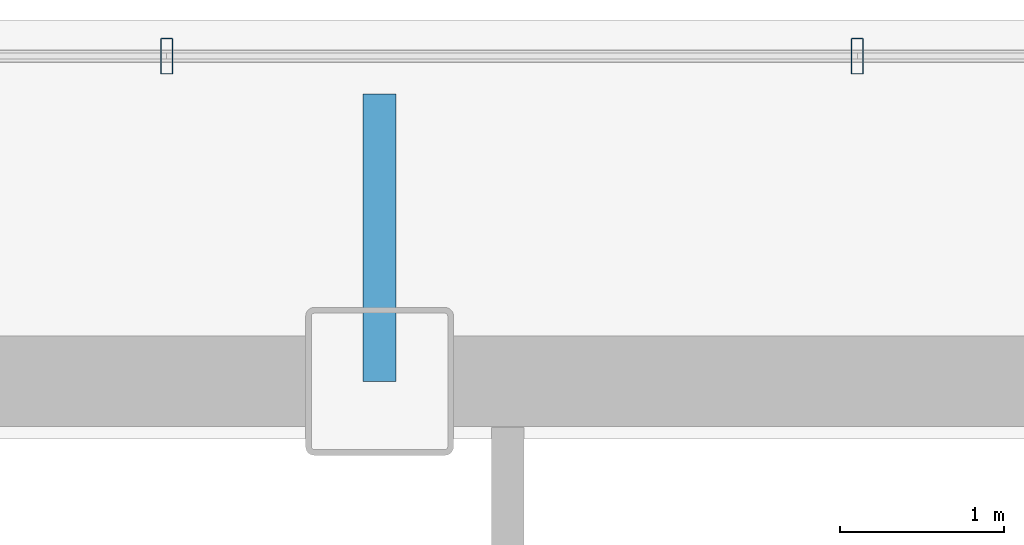
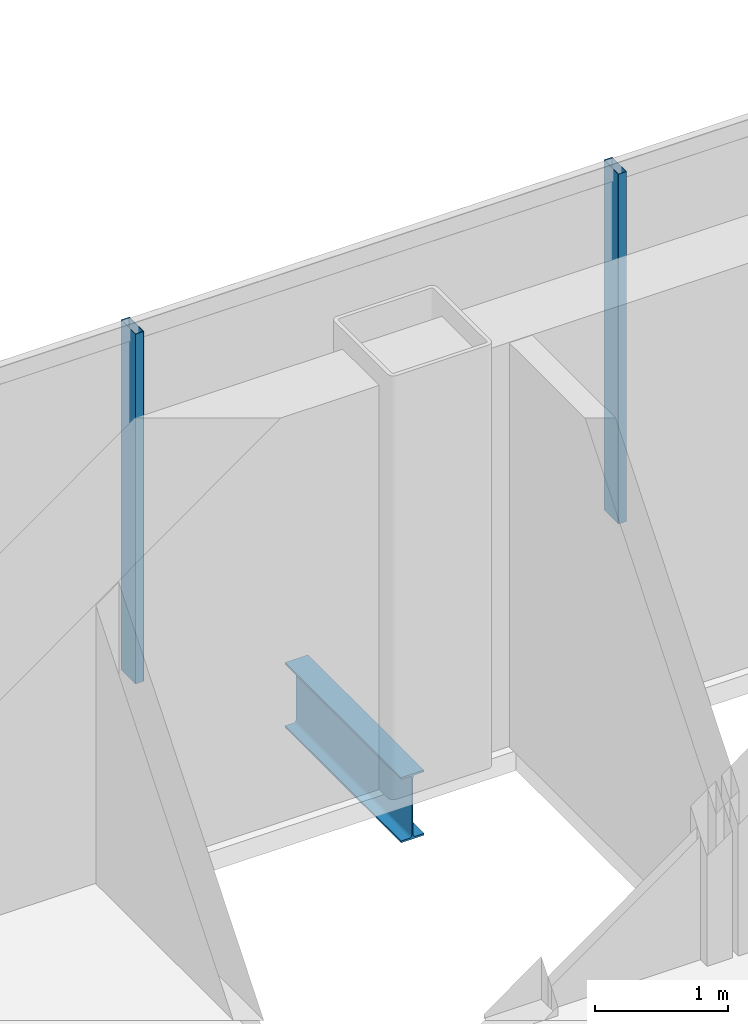
# One storey, part 11 of 20: 2 members, 1 beam, 1 element without a shape of its own.
"""IFC4 building model written with IfcOpenShell, lengths in metres."""

from ifc_helpers import new_model, si_unit, direction, frame, origin, origin_2d, place, context, subcontext, project, spatial, hollow_rectangle, i_section, extrude, material, material_profile, profile_set, type_object, element, aggregate, save


model = new_model("IFC4")

# Units and contexts
model_context = context("Model", 3, precision=1e-05, world=origin(), true_north=direction((0.0, 1.0)))
body_context = subcontext(model_context, "Body", "Model", "MODEL_VIEW")
ifc_project = project(units=[si_unit("LENGTHUNIT", "METRE"), si_unit("AREAUNIT", "SQUARE_METRE"), si_unit("VOLUMEUNIT", "CUBIC_METRE"), si_unit("PLANEANGLEUNIT", "RADIAN"), si_unit("MASSUNIT", "GRAM", prefix="KILO")], contexts=[model_context])

# Site, building, storey
site_placement = place(None, origin())
site = spatial("IfcSite", under=ifc_project, at=site_placement, CompositionType="ELEMENT")
building_placement = place(site_placement, origin())
building = spatial("IfcBuilding", under=site, at=building_placement, Name="Noeulbin Bourse Tower", CompositionType="ELEMENT")
storey_placement = place(building_placement, frame((0.0, 0.0, 126.60009765625)))
storey = spatial("IfcBuildingStorey", under=building, at=storey_placement, Name="L31", CompositionType="ELEMENT", Elevation=126.60009765625)

# Beam
ifc_material_1 = material(Name="Steel S355", Category="steel")
ifc_material_profile_1 = material_profile(ifc_material_1, i_section(OverallWidth=0.199951171875, OverallDepth=0.60009765625, WebThickness=0.010986328125, FlangeThickness=0.01708984375, FilletRadius=0.02197265625, at=origin_2d()), Name="H-600x200x11x17", Category="LoadBearing")
ifc_profile_set_1 = profile_set([ifc_material_profile_1], Name="Steel S355")
beam_type = type_object("IfcBeamType", Name="BM-GRD-600", PredefinedType="USERDEFINED", material=ifc_profile_set_1)
beam_placement = place(storey_placement, frame((31.0, 38.300048828125, -0.47998046875), z_axis=(0.0, 1.0, 0.0), x_axis=(-1.0, 0.0, 0.0)))
element("IfcBeam", 1, at=beam_placement, inside=storey, type_object=beam_type, Name="Tower Primary Girder NS L31-3.4", ObjectType="GIRDER", PredefinedType="USERDEFINED", context=body_context, shape_type="SweptSolid", body=[
    extrude(i_section(OverallWidth=0.199951171875, OverallDepth=0.60009765625, WebThickness=0.010986328125, FlangeThickness=0.01708984375, FilletRadius=0.02197265625, at=origin_2d()), origin(), (0.0, 0.0, 1.0), 1.75),
])

# Curtain wall, members
ifc_material_2 = material(Name="Dark Tinted Triple Glazing", Category="glass")
curtain_wall_type = type_object("IfcCurtainWallType", Name="CW-SYS-3", PredefinedType="NOTDEFINED", material=ifc_material_2)
curtain_wall_placement = place(storey_placement, origin())
curtain_wall = element("IfcCurtainWall", 2, at=curtain_wall_placement, inside=storey, type_object=curtain_wall_type, Name="Unitised Curtain Wall CW-L31-N", PredefinedType="NOTDEFINED")
ifc_material_3 = material(Name="Anodised Aluminium 6063-T6", Category="aluminium")
ifc_material_profile_2 = material_profile(ifc_material_3, hollow_rectangle(XDim=0.074951171875, YDim=0.219970703125, WallThickness=0.0048828125, InnerFilletRadius=0.00244140625, OuterFilletRadius=0.0048828125, at=origin_2d()), Name="ALU-MULL-75x220x5", Category="LoadBearing")
ifc_profile_set_2 = profile_set([ifc_material_profile_2], Name="Anodised Aluminium 6063-T6")
member_type = type_object("IfcMemberType", Name="CW-SYS-3-MUL", PredefinedType="MULLION", material=ifc_profile_set_2)
member_1_placement = place(storey_placement, frame((29.7041015625, 40.280029296875, -0.02001953125), z_axis=(0.0, 0.0, 1.0), x_axis=(1.0, 0.0, 0.0)))
member_1 = element("IfcMember", 3, at=member_1_placement, type_object=member_type, Name="Curtain Wall Mullion CW-L31-N-M06", PredefinedType="MULLION", context=body_context, shape_type="SweptSolid", body=[
    extrude(hollow_rectangle(XDim=0.074951171875, YDim=0.219970703125, WallThickness=0.0048828125, InnerFilletRadius=0.00244140625, OuterFilletRadius=0.0048828125, at=origin_2d()), origin(), (0.0, 0.0, 1.0), 3.219970703125),
])
member_2_placement = place(storey_placement, frame((33.907958984375, 40.280029296875, -0.02001953125), z_axis=(0.0, 0.0, 1.0), x_axis=(1.0, 0.0, 0.0)))
member_2 = element("IfcMember", 4, at=member_2_placement, type_object=member_type, Name="Curtain Wall Mullion CW-L31-N-M07", PredefinedType="MULLION", context=body_context, shape_type="SweptSolid", body=[
    extrude(hollow_rectangle(XDim=0.074951171875, YDim=0.219970703125, WallThickness=0.0048828125, InnerFilletRadius=0.00244140625, OuterFilletRadius=0.0048828125, at=origin_2d()), origin(), (0.0, 0.0, 1.0), 3.219970703125),
])
aggregate(curtain_wall, [member_1, member_2])

save(model, "model.ifc")
